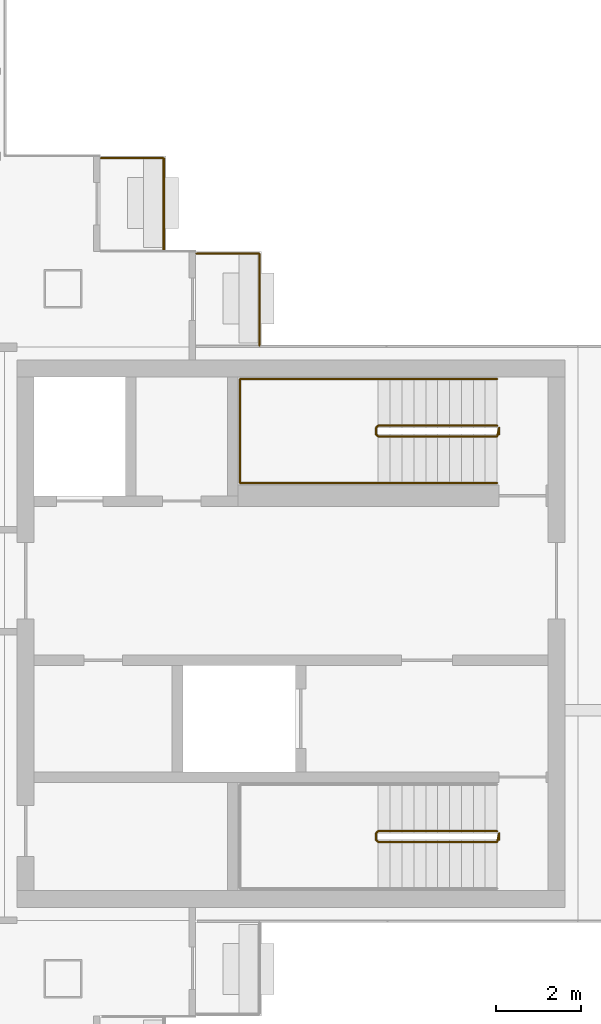
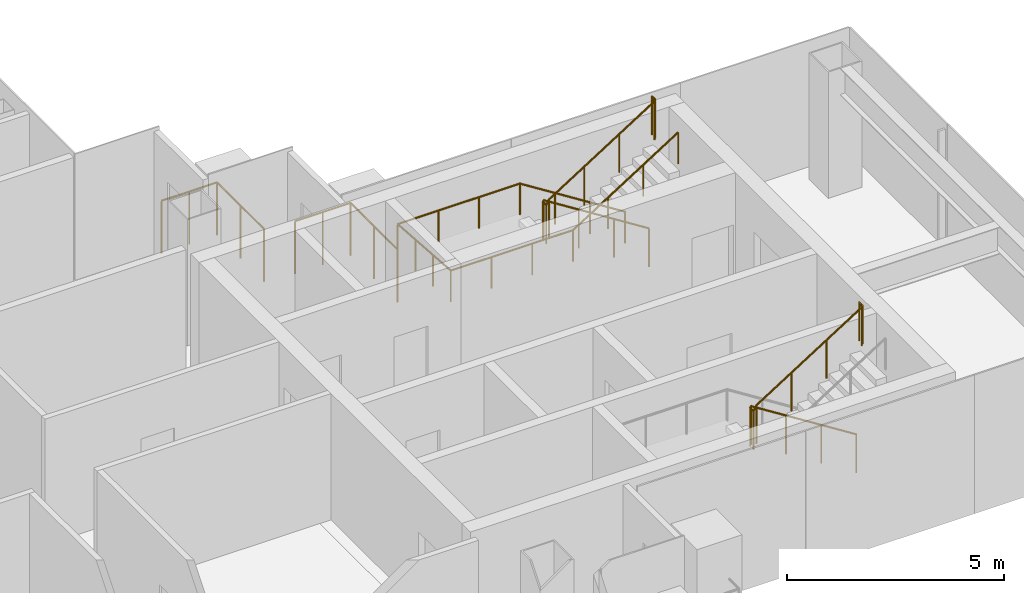
# One storey, part 16 of 17: 5 railings.
"""IFC4 building model written with IfcOpenShell, lengths in metres."""

from ifc_helpers import new_model, si_unit, direction, frame, origin, origin_2d, place, context, subcontext, project, spatial, circle, extrude, material, type_object, element, save


model = new_model("IFC4")

# Units and contexts
model_context = context("Model", 3, precision=1e-05, world=origin(), true_north=direction((0.0, 1.0)))
body_context = subcontext(model_context, "Body", "Model", "MODEL_VIEW")
ifc_project = project(units=[si_unit("LENGTHUNIT", "METRE"), si_unit("AREAUNIT", "SQUARE_METRE"), si_unit("VOLUMEUNIT", "CUBIC_METRE"), si_unit("PLANEANGLEUNIT", "RADIAN"), si_unit("MASSUNIT", "GRAM", prefix="KILO")], contexts=[model_context])

# Site, building, storey
site_placement = place(None, origin())
site = spatial("IfcSite", under=ifc_project, at=site_placement, CompositionType="ELEMENT")
building_placement = place(site_placement, origin())
building = spatial("IfcBuilding", under=site, at=building_placement, Name="Shamsa Quay Exchange Towers", CompositionType="ELEMENT")
storey_placement = place(building_placement, frame((0.0, 0.0, 230.39990234375)))
storey = spatial("IfcBuildingStorey", under=building, at=storey_placement, Name="L55", CompositionType="ELEMENT", Elevation=230.39990234375)

# Railings
ifc_material_1 = material(Name="Steel S355, black powder-coated", Category="steel")
railing_type_1 = type_object("IfcRailingType", Name="BALCONY GUARD 1500", PredefinedType="GUARDRAIL", material=ifc_material_1)
for number, where, name in (
    (1, (44.25, 9.0380859375, 0.0), "Balcony guard T2-PKES L55"),
    (2, (46.5, 6.7880859375, 0.0), "Balcony guard T2-PKES L55"),
):
    element("IfcRailing", number, at=place(storey_placement, frame(where)), inside=storey, type_object=railing_type_1, Name=name, PredefinedType="GUARDRAIL", context=body_context, shape_type="SweptSolid", body=[
        extrude(circle(Radius=0.02392578125, at=origin_2d()), frame((0.0, 0.0, 1.47607421875), z_axis=(0.0, 1.0, 0.0), x_axis=(-1.0, 0.0, 0.0)), (0.0, 0.0, 1.0), 2.161865234375),
        extrude(circle(Radius=0.02392578125, at=origin_2d()), frame((0.0, 2.161865234375, 1.47607421875), z_axis=(-1.0, 0.0, 0.0), x_axis=(0.0, -1.0, 0.0)), (0.0, 0.0, 1.0), 1.47900390625),
        extrude(circle(Radius=0.02099609375, at=origin_2d()), origin(), (0.0, 0.0, 1.0), 1.451904296875),
        extrude(circle(Radius=0.02099609375, at=origin_2d()), frame((0.0, 1.0810546875, 0.0)), (0.0, 0.0, 1.0), 1.451904296875),
        extrude(circle(Radius=0.02099609375, at=origin_2d()), frame((0.0, 2.161865234375, 0.0)), (0.0, 0.0, 1.0), 1.451904296875),
        extrude(circle(Radius=0.02099609375, at=origin_2d()), frame((-0.739501953125, 2.161865234375, 0.0)), (0.0, 0.0, 1.0), 1.451904296875),
        extrude(circle(Radius=0.02099609375, at=origin_2d()), frame((-1.47900390625, 2.161865234375, 0.0)), (0.0, 0.0, 1.0), 1.451904296875),
    ])
ifc_material_2 = material(Name="Stainless steel", Category="steel")
railing_type_2 = type_object("IfcRailingType", Name="STAIR GUARD 1100", PredefinedType="GUARDRAIL", material=ifc_material_2)
railing_1_placement = place(storey_placement, frame((52.10009765625, -4.64990234375, 0.177490234375)))
element("IfcRailing", 3, at=railing_1_placement, inside=storey, type_object=railing_type_2, Name="L55 ST5 stair guard 1", PredefinedType="GUARDRAIL", context=body_context, shape_type="SweptSolid", body=[
    extrude(circle(Radius=0.02392578125, at=origin_2d()), frame((0.0, 0.0, 1.076171875), z_axis=(-0.844908973607, 0.0, 0.534910110503), x_axis=(0.0, -1.0, 0.0)), (0.0, 0.0, 1.0), 3.31396484375),
    extrude(circle(Radius=0.02392578125, at=origin_2d()), frame((-2.800048828125, 0.0, 2.8486328125), z_axis=(-0.707106781187, -0.707106781187, 0.0), x_axis=(0.707106781187, -0.707106781187, 0.0)), (0.0, 0.0, 1.0), 0.07080078125),
    extrude(circle(Radius=0.02392578125, at=origin_2d()), frame((-2.85009765625, -0.050048828125, 2.8486328125), z_axis=(0.0, -1.0, 0.0), x_axis=(1.0, 0.0, 0.0)), (0.0, 0.0, 1.0), 0.150146484375),
    extrude(circle(Radius=0.02392578125, at=origin_2d()), frame((-2.85009765625, -0.2001953125, 2.8486328125), z_axis=(0.262321481514, -0.261041864531, 0.929001929653), x_axis=(0.705375805398, 0.708833529934, 0.0)), (0.0, 0.0, 1.0), 0.190673828125),
    extrude(circle(Radius=0.02392578125, at=origin_2d()), frame((-2.800048828125, -0.25, 3.02587890625), z_axis=(0.844908973607, 0.0, 0.534910110503), x_axis=(0.0, 1.0, 0.0)), (0.0, 0.0, 1.0), 3.31396484375),
    extrude(circle(Radius=0.02392578125, at=origin_2d()), frame((0.0, -0.25, 4.798828125), z_axis=(0.241699205484, 0.970351222016, 0.0), x_axis=(-0.970351222016, 0.241699205484, 0.0)), (0.0, 0.0, 1.0), 0.2060546875),
    extrude(circle(Radius=0.02392578125, at=origin_2d()), frame((0.0498046875, -0.050048828125, 4.798828125), z_axis=(0.0, -1.0, 0.0), x_axis=(1.0, 0.0, 0.0)), (0.0, 0.0, 1.0), 0.150146484375),
    extrude(circle(Radius=0.02099609375, at=origin_2d()), origin(), (0.0, 0.0, 1.0), 1.052001953125),
    extrude(circle(Radius=0.02099609375, at=origin_2d()), frame((-0.933349609375, 0.0, 0.5908203125)), (0.0, 0.0, 1.0), 1.052001953125),
    extrude(circle(Radius=0.02099609375, at=origin_2d()), frame((-1.86669921875, 0.0, 1.181884765625)), (0.0, 0.0, 1.0), 1.052001953125),
    extrude(circle(Radius=0.02099609375, at=origin_2d()), frame((-2.800048828125, 0.0, 1.772705078125)), (0.0, 0.0, 1.0), 1.052001953125),
    extrude(circle(Radius=0.02099609375, at=origin_2d()), frame((-2.85009765625, -0.050048828125, 1.772705078125)), (0.0, 0.0, 1.0), 1.052001953125),
    extrude(circle(Radius=0.02099609375, at=origin_2d()), frame((-2.85009765625, -0.2001953125, 1.772705078125)), (0.0, 0.0, 1.0), 1.052001953125),
    extrude(circle(Radius=0.02099609375, at=origin_2d()), frame((-2.800048828125, -0.25, 1.949951171875)), (0.0, 0.0, 1.0), 1.052001953125),
    extrude(circle(Radius=0.02099609375, at=origin_2d()), frame((-1.86669921875, -0.25, 2.540771484375)), (0.0, 0.0, 1.0), 1.052001953125),
    extrude(circle(Radius=0.02099609375, at=origin_2d()), frame((-0.933349609375, -0.25, 3.1318359375)), (0.0, 0.0, 1.0), 1.052001953125),
    extrude(circle(Radius=0.02099609375, at=origin_2d()), frame((0.0, -0.25, 3.72265625)), (0.0, 0.0, 1.0), 1.052001953125),
    extrude(circle(Radius=0.02099609375, at=origin_2d()), frame((0.0498046875, -0.050048828125, 3.72265625)), (0.0, 0.0, 1.0), 1.052001953125),
    extrude(circle(Radius=0.02099609375, at=origin_2d()), frame((0.0498046875, -0.2001953125, 3.72265625)), (0.0, 0.0, 1.0), 1.052001953125),
])
railing_2_placement = place(storey_placement, frame((52.10009765625, 4.89990234375, 0.177490234375)))
element("IfcRailing", 4, at=railing_2_placement, inside=storey, type_object=railing_type_2, Name="L55 ST6 stair guard 1", PredefinedType="GUARDRAIL", context=body_context, shape_type="SweptSolid", body=[
    extrude(circle(Radius=0.02392578125, at=origin_2d()), frame((0.0, 0.0, 1.076171875), z_axis=(-0.844908973607, 0.0, 0.534910110503), x_axis=(0.0, -1.0, 0.0)), (0.0, 0.0, 1.0), 3.31396484375),
    extrude(circle(Radius=0.02392578125, at=origin_2d()), frame((-2.800048828125, 0.0, 2.8486328125), z_axis=(-0.708833529934, -0.705375805398, 0.0), x_axis=(0.705375805398, -0.708833529934, 0.0)), (0.0, 0.0, 1.0), 0.070556640625),
    extrude(circle(Radius=0.02392578125, at=origin_2d()), frame((-2.85009765625, -0.0498046875, 2.8486328125), z_axis=(0.0, -1.0, 0.0), x_axis=(1.0, 0.0, 0.0)), (0.0, 0.0, 1.0), 0.150146484375),
    extrude(circle(Radius=0.02392578125, at=origin_2d()), frame((-2.85009765625, -0.199951171875, 2.8486328125), z_axis=(0.262233686654, -0.262233686654, 0.928691007369), x_axis=(0.707106781187, 0.707106781187, 0.0)), (0.0, 0.0, 1.0), 0.19091796875),
    extrude(circle(Radius=0.02392578125, at=origin_2d()), frame((-2.800048828125, -0.25, 3.02587890625), z_axis=(0.844908973607, 0.0, 0.534910110503), x_axis=(0.0, 1.0, 0.0)), (0.0, 0.0, 1.0), 3.31396484375),
    extrude(circle(Radius=0.02392578125, at=origin_2d()), frame((0.0, -0.25, 4.798828125), z_axis=(0.24142163986, 0.970420317083, 0.0), x_axis=(-0.970420317083, 0.24142163986, 0.0)), (0.0, 0.0, 1.0), 0.206298828125),
    extrude(circle(Radius=0.02392578125, at=origin_2d()), frame((0.0498046875, -0.0498046875, 4.798828125), z_axis=(0.0, -1.0, 0.0), x_axis=(1.0, 0.0, 0.0)), (0.0, 0.0, 1.0), 0.150146484375),
    extrude(circle(Radius=0.02099609375, at=origin_2d()), origin(), (0.0, 0.0, 1.0), 1.052001953125),
    extrude(circle(Radius=0.02099609375, at=origin_2d()), frame((-0.933349609375, 0.0, 0.5908203125)), (0.0, 0.0, 1.0), 1.052001953125),
    extrude(circle(Radius=0.02099609375, at=origin_2d()), frame((-1.86669921875, 0.0, 1.181884765625)), (0.0, 0.0, 1.0), 1.052001953125),
    extrude(circle(Radius=0.02099609375, at=origin_2d()), frame((-2.800048828125, 0.0, 1.772705078125)), (0.0, 0.0, 1.0), 1.052001953125),
    extrude(circle(Radius=0.02099609375, at=origin_2d()), frame((-2.85009765625, -0.0498046875, 1.772705078125)), (0.0, 0.0, 1.0), 1.052001953125),
    extrude(circle(Radius=0.02099609375, at=origin_2d()), frame((-2.85009765625, -0.199951171875, 1.772705078125)), (0.0, 0.0, 1.0), 1.052001953125),
    extrude(circle(Radius=0.02099609375, at=origin_2d()), frame((-2.800048828125, -0.25, 1.949951171875)), (0.0, 0.0, 1.0), 1.052001953125),
    extrude(circle(Radius=0.02099609375, at=origin_2d()), frame((-1.86669921875, -0.25, 2.540771484375)), (0.0, 0.0, 1.0), 1.052001953125),
    extrude(circle(Radius=0.02099609375, at=origin_2d()), frame((-0.933349609375, -0.25, 3.1318359375)), (0.0, 0.0, 1.0), 1.052001953125),
    extrude(circle(Radius=0.02099609375, at=origin_2d()), frame((0.0, -0.25, 3.72265625)), (0.0, 0.0, 1.0), 1.052001953125),
    extrude(circle(Radius=0.02099609375, at=origin_2d()), frame((0.0498046875, -0.0498046875, 3.72265625)), (0.0, 0.0, 1.0), 1.052001953125),
    extrude(circle(Radius=0.02099609375, at=origin_2d()), frame((0.0498046875, -0.199951171875, 3.72265625)), (0.0, 0.0, 1.0), 1.052001953125),
])
railing_type_3 = type_object("IfcRailingType", Name="STAIR HANDRAIL 900", PredefinedType="HANDRAIL", material=ifc_material_2)
railing_3_placement = place(storey_placement, frame((52.10009765625, 6.0, 0.177490234375)))
element("IfcRailing", 5, at=railing_3_placement, inside=storey, type_object=railing_type_3, Name="L55 ST6 stair handrail 1", PredefinedType="HANDRAIL", context=body_context, shape_type="SweptSolid", body=[
    extrude(circle(Radius=0.02392578125, at=origin_2d()), frame((0.0, 0.0, 0.8759765625), z_axis=(-0.844908973607, 0.0, 0.534910110503), x_axis=(0.0, -1.0, 0.0)), (0.0, 0.0, 1.0), 3.31396484375),
    extrude(circle(Radius=0.02392578125, at=origin_2d()), frame((-2.800048828125, 0.0, 2.6484375), z_axis=(-1.0, 0.0, 0.0), x_axis=(0.0, -1.0, 0.0)), (0.0, 0.0, 1.0), 3.25),
    extrude(circle(Radius=0.02392578125, at=origin_2d()), frame((-6.050048828125, 0.0, 2.6484375), z_axis=(0.0, -0.997393199914, 0.07215819264), x_axis=(1.0, 0.0, 0.0)), (0.0, 0.0, 1.0), 2.456298828125),
    extrude(circle(Radius=0.02392578125, at=origin_2d()), frame((-6.050048828125, -2.449951171875, 2.82568359375), z_axis=(1.0, 0.0, 0.0), x_axis=(0.0, 1.0, 0.0)), (0.0, 0.0, 1.0), 3.25),
    extrude(circle(Radius=0.02392578125, at=origin_2d()), frame((-2.800048828125, -2.449951171875, 2.82568359375), z_axis=(0.844908973607, 0.0, 0.534910110503), x_axis=(0.0, 1.0, 0.0)), (0.0, 0.0, 1.0), 3.31396484375),
    extrude(circle(Radius=0.02099609375, at=origin_2d()), origin(), (0.0, 0.0, 1.0), 0.851806640625),
    extrude(circle(Radius=0.02099609375, at=origin_2d()), frame((-0.933349609375, 0.0, 0.5908203125)), (0.0, 0.0, 1.0), 0.851806640625),
    extrude(circle(Radius=0.02099609375, at=origin_2d()), frame((-1.86669921875, 0.0, 1.181884765625)), (0.0, 0.0, 1.0), 0.851806640625),
    extrude(circle(Radius=0.02099609375, at=origin_2d()), frame((-2.800048828125, 0.0, 1.772705078125)), (0.0, 0.0, 1.0), 0.851806640625),
    extrude(circle(Radius=0.02099609375, at=origin_2d()), frame((-3.88330078125, 0.0, 1.772705078125)), (0.0, 0.0, 1.0), 0.851806640625),
    extrude(circle(Radius=0.02099609375, at=origin_2d()), frame((-4.966796875, 0.0, 1.772705078125)), (0.0, 0.0, 1.0), 0.851806640625),
    extrude(circle(Radius=0.02099609375, at=origin_2d()), frame((-6.050048828125, 0.0, 1.772705078125)), (0.0, 0.0, 1.0), 0.851806640625),
    extrude(circle(Radius=0.02099609375, at=origin_2d()), frame((-6.050048828125, -0.816650390625, 1.831787109375)), (0.0, 0.0, 1.0), 0.851806640625),
    extrude(circle(Radius=0.02099609375, at=origin_2d()), frame((-6.050048828125, -1.63330078125, 1.890869140625)), (0.0, 0.0, 1.0), 0.851806640625),
    extrude(circle(Radius=0.02099609375, at=origin_2d()), frame((-6.050048828125, -2.449951171875, 1.949951171875)), (0.0, 0.0, 1.0), 0.851806640625),
    extrude(circle(Radius=0.02099609375, at=origin_2d()), frame((-4.966796875, -2.449951171875, 1.949951171875)), (0.0, 0.0, 1.0), 0.851806640625),
    extrude(circle(Radius=0.02099609375, at=origin_2d()), frame((-3.88330078125, -2.449951171875, 1.949951171875)), (0.0, 0.0, 1.0), 0.851806640625),
    extrude(circle(Radius=0.02099609375, at=origin_2d()), frame((-2.800048828125, -2.449951171875, 1.949951171875)), (0.0, 0.0, 1.0), 0.851806640625),
    extrude(circle(Radius=0.02099609375, at=origin_2d()), frame((-1.86669921875, -2.449951171875, 2.540771484375)), (0.0, 0.0, 1.0), 0.851806640625),
    extrude(circle(Radius=0.02099609375, at=origin_2d()), frame((-0.933349609375, -2.449951171875, 3.1318359375)), (0.0, 0.0, 1.0), 0.851806640625),
    extrude(circle(Radius=0.02099609375, at=origin_2d()), frame((0.0, -2.449951171875, 3.72265625)), (0.0, 0.0, 1.0), 0.851806640625),
])

save(model, "model.ifc")
